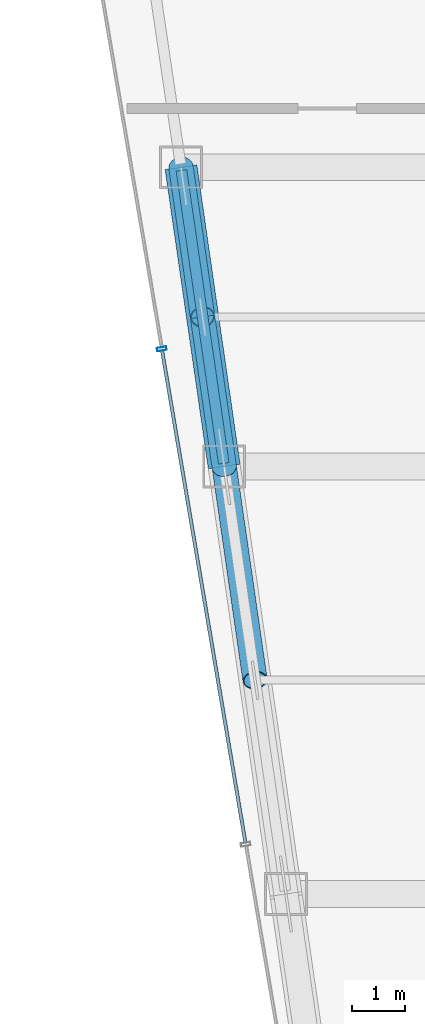
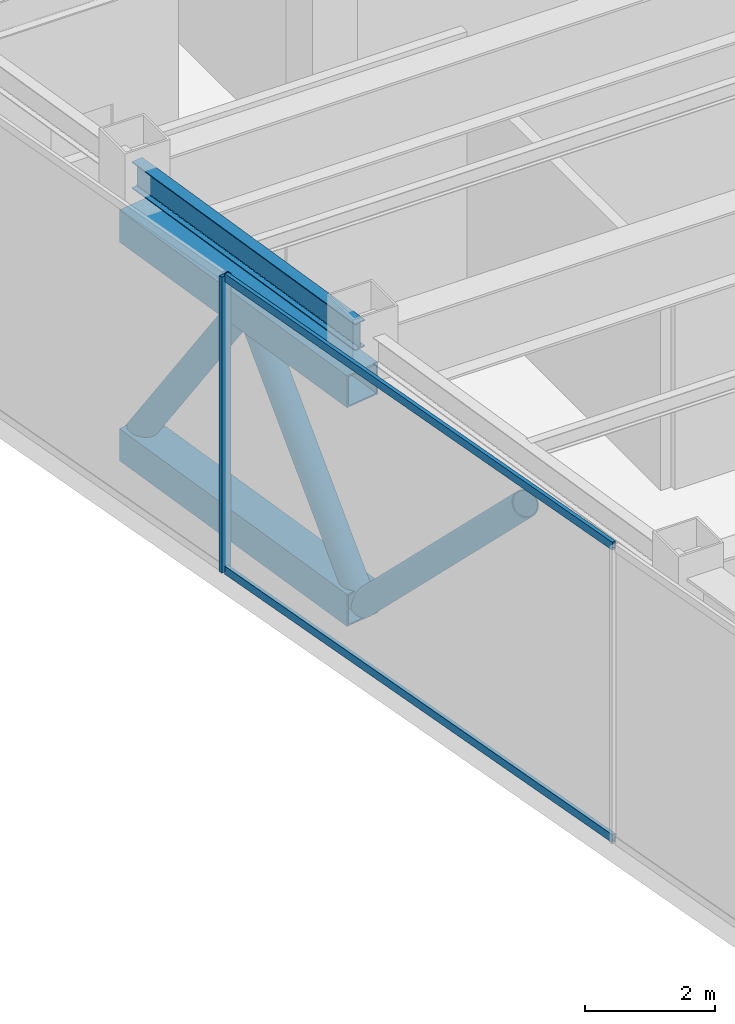
# One storey, part 10 of 34: 8 members, 1 beam, 1 element without a shape of its own.
"""IFC4 building model written with IfcOpenShell, lengths in metres."""

from ifc_helpers import new_model, si_unit, direction, frame, origin, origin_2d, place, context, subcontext, project, spatial, hollow_rectangle, hollow_circle, i_section, extrude, material, material_profile, profile_set, type_object, element, aggregate, save


model = new_model("IFC4")

# Units and contexts
model_context = context("Model", 3, precision=1e-05, world=origin(), true_north=direction((0.0, 1.0)))
body_context = subcontext(model_context, "Body", "Model", "MODEL_VIEW")
ifc_project = project(units=[si_unit("LENGTHUNIT", "METRE"), si_unit("AREAUNIT", "SQUARE_METRE"), si_unit("VOLUMEUNIT", "CUBIC_METRE"), si_unit("PLANEANGLEUNIT", "RADIAN"), si_unit("MASSUNIT", "GRAM", prefix="KILO")], contexts=[model_context])

# Site, building, storey
site_placement = place(None, origin())
site = spatial("IfcSite", under=ifc_project, at=site_placement, CompositionType="ELEMENT")
building_placement = place(site_placement, origin())
building = spatial("IfcBuilding", under=site, at=building_placement, Name="Saevonmaru Cultural Tower", CompositionType="ELEMENT")
storey_placement = place(building_placement, frame((0.0, 0.0, 224.60009765625)))
storey = spatial("IfcBuildingStorey", under=building, at=storey_placement, Name="L52", CompositionType="ELEMENT", Elevation=224.60009765625)

# Beam
ifc_material_1 = material(Name="Steel SM355", Category="steel")
ifc_material_profile_1 = material_profile(ifc_material_1, i_section(OverallWidth=0.199951171875, OverallDepth=0.5, WebThickness=0.010009765625, FlangeThickness=0.01611328125, FilletRadius=0.02001953125, at=origin_2d()), Name="H-500x200x10x16")
ifc_profile_set_1 = profile_set([ifc_material_profile_1], Name="Steel SM355")
beam_type = type_object("IfcBeamType", Name="BM-SP-H500", PredefinedType="SPANDREL", material=ifc_profile_set_1)
beam_placement = place(storey_placement, frame((8.308349609375, 32.059326171875, 5.2998046875), z_axis=(-0.142964121327, 0.989727871697, 0.0), x_axis=(-0.989727871697, -0.142964121327, 0.0)))
element("IfcBeam", 1, at=beam_placement, inside=storey, type_object=beam_type, Name="L52 West Splayed Spandrel 3", PredefinedType="SPANDREL", context=body_context, shape_type="SweptSolid", body=[
    extrude(i_section(OverallWidth=0.199951171875, OverallDepth=0.5, WebThickness=0.010009765625, FlangeThickness=0.01611328125, FilletRadius=0.02001953125, at=origin_2d()), origin(), (0.0, 0.0, 1.0), 5.5380859375),
])

# Members
ifc_material_2 = material(Name="Steel SM420", Category="steel")
ifc_material_profile_2 = material_profile(ifc_material_2, hollow_circle(Radius=0.228515625, WallThickness=0.02001953125, at=origin_2d()), Name="CHS-457.2x20")
ifc_profile_set_2 = profile_set([ifc_material_profile_2], Name="Steel SM420")
member_type_1 = type_object("IfcMemberType", Name="MB-BBR-CHS457", PredefinedType="BRACE", material=ifc_profile_set_2)
member_1_placement = place(storey_placement, frame((8.31689453125, 32.0, 0.2998046875), z_axis=(0.100418226369, -0.694785566232, 0.712172167926), x_axis=(0.989716197255, 0.143044919135, 0.0)))
element("IfcMember", 2, at=member_1_placement, inside=storey, type_object=member_type_1, Name="L52 Belt Truss Diagonal BW2-2", PredefinedType="BRACE", context=body_context, shape_type="SweptSolid", body=[
    extrude(hollow_circle(Radius=0.228515625, WallThickness=0.02001953125, at=origin_2d()), origin(), (0.0, 0.0, 1.0), 5.757080078125),
])
for number, where, z_axis, x_axis, name in (
    (3, (8.31689453125, 32.0, 0.2998046875), (-0.081258367418, 0.562094219494, 0.823071786745), (-0.989711663089, -0.143076287157, 0.0), "L52 Belt Truss Diagonal BW3-1"),
    (4, (7.508056640625, 37.60009765625, 0.2998046875), (0.081112306012, -0.562100929095, 0.823081611581), (0.989748290967, 0.142822689123, 0.0), "L52 Belt Truss Diagonal BW3-2"),
):
    element("IfcMember", number, at=place(storey_placement, frame(where, z_axis=z_axis, x_axis=x_axis)), inside=storey, type_object=member_type_1, Name=name, PredefinedType="BRACE", context=body_context, shape_type="SweptSolid", body=[
        extrude(hollow_circle(Radius=0.228515625, WallThickness=0.02001953125, at=origin_2d()), origin(), (0.0, 0.0, 1.0), 4.9814453125),
    ])
ifc_material_profile_3 = material_profile(ifc_material_2, hollow_rectangle(XDim=0.60009765625, YDim=0.60009765625, WallThickness=0.028076171875, at=origin_2d()), Name="BOX-600x600x28")
ifc_profile_set_3 = profile_set([ifc_material_profile_3], Name="Steel SM420")
member_type_2 = type_object("IfcMemberType", Name="MB-BCH-BOX600", PredefinedType="CHORD", material=ifc_profile_set_3)
for number, where, z_axis, x_axis, name in (
    (5, (8.31689453125, 32.0, 0.2998046875), (-0.142949491659, 0.989729984811, 0.0), (-0.989729984811, -0.142949491659, 0.0), "L52 Belt Truss Bottom Chord BW3"),
    (6, (8.31689453125, 32.0, 4.39990234375), (-0.142949491659, 0.989729984811, 0.0), (-0.989729984811, -0.142949491659, 0.0), "L52 Belt Truss Top Chord BW3"),
):
    element("IfcMember", number, at=place(storey_placement, frame(where, z_axis=z_axis, x_axis=x_axis)), inside=storey, type_object=member_type_2, Name=name, PredefinedType="CHORD", context=body_context, shape_type="SweptSolid", body=[
        extrude(hollow_rectangle(XDim=0.60009765625, YDim=0.60009765625, WallThickness=0.028076171875, at=origin_2d()), origin(), (0.0, 0.0, 1.0), 5.658203125),
    ])

# Curtain wall, members
ifc_material_3 = material(Name="Satin Bronze Anodised Aluminium", Category="aluminium")
curtain_wall_type = type_object("IfcCurtainWallType", Name="CW-TYP-B", PredefinedType="NOTDEFINED", material=ifc_material_3)
curtain_wall_placement = place(storey_placement, origin())
curtain_wall = element("IfcCurtainWall", 7, at=curtain_wall_placement, inside=storey, type_object=curtain_wall_type, Name="L52 Wind-Floor Acoustic Louvre Screen E12", PredefinedType="NOTDEFINED")
ifc_material_profile_4 = material_profile(ifc_material_3, hollow_rectangle(XDim=0.06494140625, YDim=0.179931640625, WallThickness=0.00390625, at=origin_2d()), Name="ALU-MULL-180x65x4")
ifc_profile_set_4 = profile_set([ifc_material_profile_4], Name="Satin Bronze Anodised Aluminium")
member_type_3 = type_object("IfcMemberType", Name="ML-CW-180x65", PredefinedType="MULLION", material=ifc_profile_set_4)
member_2_placement = place(storey_placement, frame((7.14892578125, 34.199951171875, 0.0), z_axis=(0.0, 0.0, 1.0), x_axis=(0.16692169721, -0.985970155228, 0.0)))
member_2 = element("IfcMember", 8, at=member_2_placement, type_object=member_type_3, Name="CW-TW-L52-E12 mullion 3", PredefinedType="MULLION", context=body_context, shape_type="SweptSolid", body=[
    extrude(hollow_rectangle(XDim=0.06494140625, YDim=0.179931640625, WallThickness=0.00390625, at=origin_2d()), origin(), (0.0, 0.0, 1.0), 5.5498046875),
])
ifc_material_profile_5 = material_profile(ifc_material_3, hollow_rectangle(XDim=0.06494140625, YDim=0.14990234375, WallThickness=0.00390625, at=origin_2d()), Name="ALU-TRAN-150x65x4")
ifc_profile_set_5 = profile_set([ifc_material_profile_5], Name="Satin Bronze Anodised Aluminium")
member_type_4 = type_object("IfcMemberType", Name="TR-CW-150x65", PredefinedType="USERDEFINED", material=ifc_profile_set_5)
member_3_placement = place(storey_placement, frame((7.154296875, 34.16796875, 0.032470703125), z_axis=(0.166921263871, -0.985970228591, 0.0), x_axis=(0.985970228591, 0.166921263871, 0.0)))
member_3 = element("IfcMember", 9, at=member_3_placement, type_object=member_type_4, Name="CW-TW-L52-E12 transom 3.1", ObjectType="TRANSOM", PredefinedType="USERDEFINED", context=body_context, shape_type="SweptSolid", body=[
    extrude(hollow_rectangle(XDim=0.06494140625, YDim=0.14990234375, WallThickness=0.00390625, at=origin_2d()), origin(), (0.0, 0.0, 1.0), 9.33740234375),
])
member_4_placement = place(storey_placement, frame((7.154296875, 34.16796875, 5.517333984375), z_axis=(0.166921263871, -0.985970228591, 0.0), x_axis=(0.985970228591, 0.166921263871, 0.0)))
member_4 = element("IfcMember", 10, at=member_4_placement, type_object=member_type_4, Name="CW-TW-L52-E12 transom 3.2", ObjectType="TRANSOM", PredefinedType="USERDEFINED", context=body_context, shape_type="SweptSolid", body=[
    extrude(hollow_rectangle(XDim=0.06494140625, YDim=0.14990234375, WallThickness=0.00390625, at=origin_2d()), origin(), (0.0, 0.0, 1.0), 9.33740234375),
])
aggregate(curtain_wall, [member_2, member_3, member_4])

save(model, "model.ifc")
